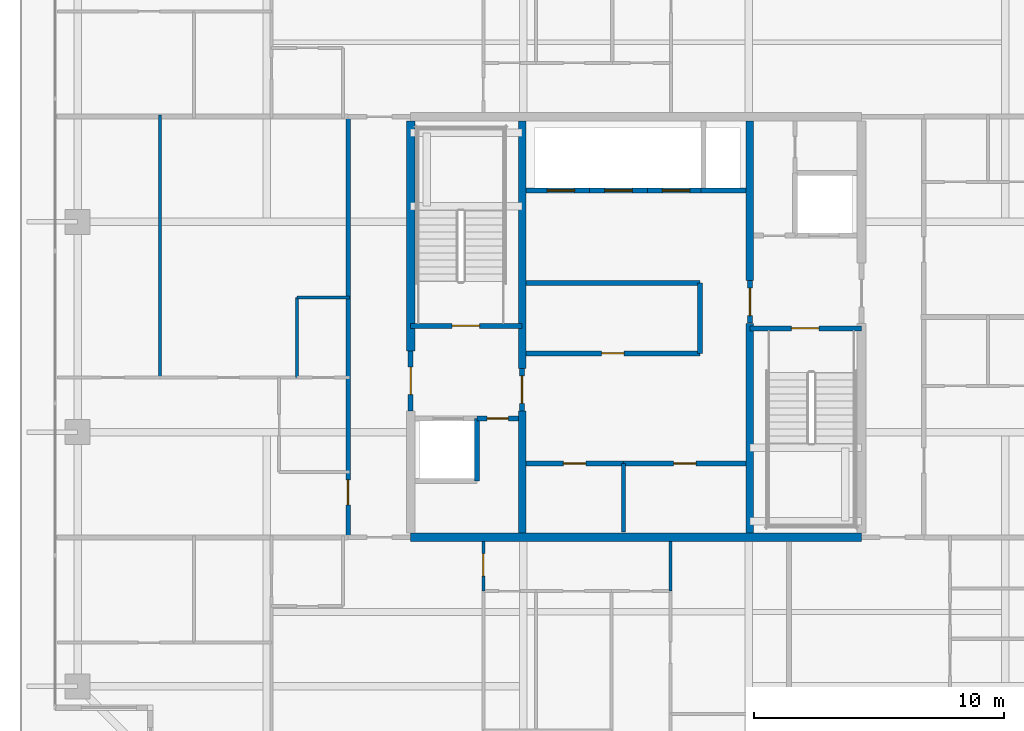
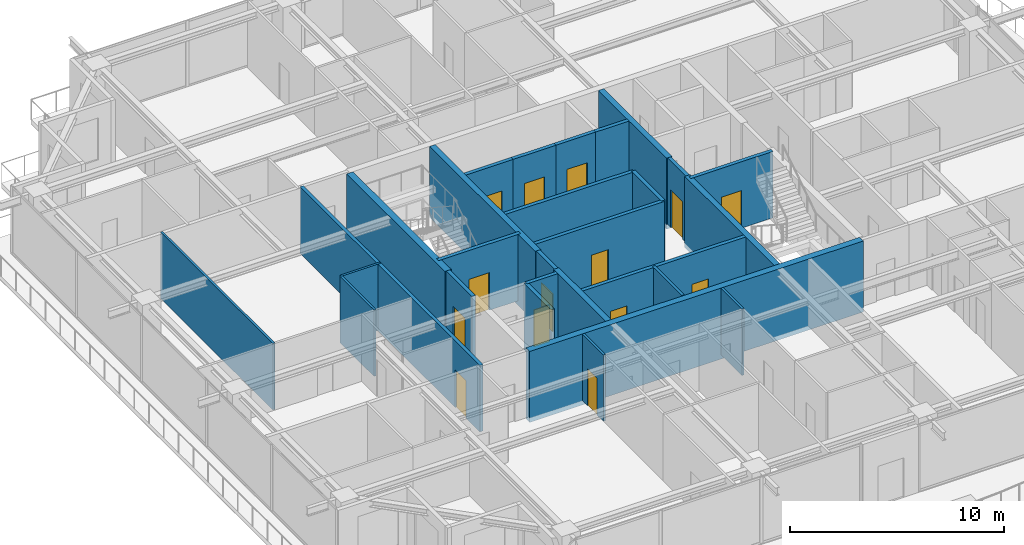
# One storey, part 32 of 42: 29 walls, 14 doors, 14 openings.
"""IFC4 building model written with IfcOpenShell, lengths in metres."""

from ifc_helpers import new_model, si_unit, direction, frame, frame_2d, origin, place, context, subcontext, project, spatial, rectangle, extrude, source, transform, mapped, material, layer, layer_set, type_object, element, fill, save


model = new_model("IFC4")

# Units and contexts
model_context = context("Model", 3, precision=1e-05, world=origin(), true_north=direction((0.0, 1.0)))
body_context = subcontext(model_context, "Body", "Model", "MODEL_VIEW")
ifc_project = project(units=[si_unit("LENGTHUNIT", "METRE"), si_unit("AREAUNIT", "SQUARE_METRE"), si_unit("VOLUMEUNIT", "CUBIC_METRE"), si_unit("PLANEANGLEUNIT", "RADIAN"), si_unit("MASSUNIT", "GRAM", prefix="KILO")], contexts=[model_context])

# Site, building, storey
site_placement = place(None, origin())
site = spatial("IfcSite", under=ifc_project, at=site_placement, CompositionType="ELEMENT")
building_placement = place(site_placement, origin())
building = spatial("IfcBuilding", under=site, at=building_placement, Name="Serunith Strait Residences", CompositionType="ELEMENT")
storey_placement = place(building_placement, frame((0.0, 0.0, 309.64990234375)))
storey = spatial("IfcBuildingStorey", under=building, at=storey_placement, Name="L77", CompositionType="ELEMENT", Elevation=309.64990234375)

# Wall
ifc_material_1 = material(Name="Fire-rated masonry service closet wall", Category="masonry")
ifc_layer_1 = layer(ifc_material_1, 0.14990234375, Name="Fire-rated masonry service closet wall")
ifc_layer_set_1 = layer_set([ifc_layer_1], Name="Fire-rated masonry service closet wall")
wall_type_1 = type_object("IfcWallType", Name="IW-BOH-150", PredefinedType="PARTITIONING", material=ifc_layer_set_1)
wall_1_placement = place(storey_placement, frame((31.89990234375, 17.02001953125, 0.0), z_axis=(0.0, 0.0, 1.0), x_axis=(0.0, 1.0, 0.0)))
element("IfcWall", 1, at=wall_1_placement, inside=storey, type_object=wall_type_1, Name="L77 Partition Wall 014", PredefinedType="PARTITIONING", context=body_context, shape_type="SweptSolid", body=[
    extrude(rectangle(XDim=2.72998046875, YDim=0.14990234375, at=frame_2d((1.364990234375, 0.0))), origin(), (0.0, 0.0, 1.0), 3.7900390625),
])

# Wall, opening, door
ifc_material_2 = material(Name="Fire-rated acoustic gypsum partition")
ifc_layer_2 = layer(ifc_material_2, 0.179931640625, Name="Fire-rated acoustic gypsum partition")
ifc_layer_set_2 = layer_set([ifc_layer_2], Name="Fire-rated acoustic gypsum partition")
wall_type_2 = type_object("IfcWallType", Name="IW-CORR-180", PredefinedType="PARTITIONING", material=ifc_layer_set_2)
wall_2_placement = place(storey_placement, frame((20.89990234375, 16.800048828125, 0.0), z_axis=(0.0, 0.0, 1.0), x_axis=(0.0, 1.0, 0.0)))
wall_2 = element("IfcWall", 2, at=wall_2_placement, inside=storey, type_object=wall_type_2, Name="L77 Partition Wall 026", PredefinedType="PARTITIONING", context=body_context, shape_type="SweptSolid", body=[
    extrude(rectangle(XDim=16.800048828125, YDim=0.179931640625, at=frame_2d((8.39990234375, 0.0))), origin(), (0.0, 0.0, 1.0), 3.7900390625),
])
opening_1_placement = place(wall_2_placement, frame((1.300048828125, 0.0, 0.0)))
opening_1 = element("IfcOpeningElement", 3, at=opening_1_placement, cuts=wall_2, Name="Opening D-APT1000", PredefinedType="OPENING", context=body_context, shape_type="SweptSolid", body=[
    extrude(rectangle(XDim=1.0, YDim=2.14990234375, at=frame_2d((0.5, 1.074951171875))), frame((0.0, 0.10009765625, 0.0), z_axis=(0.0, -1.0, 0.0), x_axis=(1.0, 0.0, 0.0)), (0.0, 0.0, 1.0), 0.199951171875),
])
ifc_material_3 = material(Name="Solid timber engineered fire door", Category="wood")
door_type_1 = type_object("IfcDoorType", Name="ID-APT-1000", OperationType="NOTDEFINED", PredefinedType="DOOR", material=ifc_material_3)
shared_shape_1 = source(origin(), body_context, "Body", "SweptSolid", [
    extrude(rectangle(XDim=1.0, YDim=2.14990234375, at=frame_2d((0.5, 1.074951171875))), frame((0.0, 0.02490234375, 0.0), z_axis=(0.0, -1.0, 0.0), x_axis=(1.0, 0.0, 0.0)), (0.0, 0.0, 1.0), 0.050048828125),
])
door_1_placement = place(opening_1_placement, origin())
door_1 = element("IfcDoor", 4, at=door_1_placement, inside=storey, type_object=door_type_1, Name="L77 Unit 04 Entrance Door", OperationType="SINGLE_SWING_RIGHT", OverallHeight=2.14990234375, OverallWidth=1.0, PredefinedType="DOOR", context=body_context, shape_type="MappedRepresentation", body=[
    mapped(shared_shape_1, transform((0.0, 0.0, 0.0), scale=1.0)),
])
fill(opening_1, door_1)

ifc_material_4 = material(Name="Lightweight steel-stud gypsum partition", Category="steel")
ifc_layer_3 = layer(ifc_material_4, 0.1201171875, Name="Lightweight steel-stud gypsum partition")
ifc_layer_set_3 = layer_set([ifc_layer_3], Name="Lightweight steel-stud gypsum partition")
wall_type_3 = type_object("IfcWallType", Name="IW-PART-120", PredefinedType="PARTITIONING", material=ifc_layer_set_3)
wall_3_placement = place(storey_placement, frame((26.300048828125, 14.64990234375, 0.0), z_axis=(0.0, 0.0, 1.0), x_axis=(0.0, 1.0, 0.0)))
wall_3 = element("IfcWall", 5, at=wall_3_placement, inside=storey, type_object=wall_type_3, Name="L77 Partition Wall 037", PredefinedType="PARTITIONING", context=body_context, shape_type="SweptSolid", body=[
    extrude(rectangle(XDim=1.97509765625, YDim=0.1201171875, at=frame_2d((0.987548828125, 0.0))), origin(), (0.0, 0.0, 1.0), 3.7900390625),
])
opening_2_placement = place(wall_3_placement, frame((0.60107421875, 0.0, 0.0)))
opening_2 = element("IfcOpeningElement", 6, at=opening_2_placement, cuts=wall_3, Name="Opening D-RM900", PredefinedType="OPENING", context=body_context, shape_type="SweptSolid", body=[
    extrude(rectangle(XDim=0.89990234375, YDim=2.10009765625, at=frame_2d((0.449951171875, 1.050048828125))), frame((0.0, 0.070068359375, 0.0), z_axis=(0.0, -1.0, 0.0), x_axis=(1.0, 0.0, 0.0)), (0.0, 0.0, 1.0), 0.14013671875),
])
ifc_material_5 = material(Name="Engineered timber flush bedroom door", Category="wood")
door_type_2 = type_object("IfcDoorType", Name="ID-ROOM-900", OperationType="NOTDEFINED", PredefinedType="DOOR", material=ifc_material_5)
shared_shape_2 = source(origin(), body_context, "Body", "SweptSolid", [
    extrude(rectangle(XDim=0.89990234375, YDim=2.10009765625, at=frame_2d((0.449951171875, 1.050048828125))), frame((0.0, 0.02490234375, 0.0), z_axis=(0.0, -1.0, 0.0), x_axis=(1.0, 0.0, 0.0)), (0.0, 0.0, 1.0), 0.050048828125),
])
door_2_placement = place(opening_2_placement, origin())
door_2 = element("IfcDoor", 7, at=door_2_placement, inside=storey, type_object=door_type_2, Name="L77 Hall E 7701 Door", OperationType="SINGLE_SWING_RIGHT", OverallHeight=2.10009765625, OverallWidth=0.89990234375, PredefinedType="DOOR", context=body_context, shape_type="MappedRepresentation", body=[
    mapped(shared_shape_2, transform((0.0, 0.0, 0.0), scale=1.0)),
])
fill(opening_2, door_2)

# Walls
wall_4_placement = place(storey_placement, frame((33.77001953125, 14.652099609375, 0.0), z_axis=(0.0, 0.0, 1.0), x_axis=(0.0, 1.0, 0.0)))
element("IfcWall", 8, at=wall_4_placement, inside=storey, type_object=wall_type_3, Name="L77 Partition Wall 050", PredefinedType="PARTITIONING", context=body_context, shape_type="SweptSolid", body=[
    extrude(rectangle(XDim=1.972900390625, YDim=0.1201171875, at=frame_2d((0.986328125, 0.0))), origin(), (0.0, 0.0, 1.0), 3.7900390625),
])
wall_5_placement = place(storey_placement, frame((13.388916015625, 23.179931640625, 0.0), z_axis=(0.0, 0.0, 1.0), x_axis=(0.0, 1.0, 0.0)))
element("IfcWall", 9, at=wall_5_placement, inside=storey, type_object=wall_type_3, Name="L77 Partition Wall 084", PredefinedType="PARTITIONING", context=body_context, shape_type="SweptSolid", body=[
    extrude(rectangle(XDim=10.47998046875, YDim=0.1201171875, at=frame_2d((5.239990234375, 0.0))), origin(), (0.0, 0.0, 1.0), 3.7900390625),
])
wall_6_placement = place(storey_placement, frame((18.85009765625, 23.179931640625, 0.0), z_axis=(0.0, 0.0, 1.0), x_axis=(0.0, 1.0, 0.0)))
element("IfcWall", 10, at=wall_6_placement, inside=storey, type_object=wall_type_3, Name="L77 Partition Wall 085", PredefinedType="PARTITIONING", context=body_context, shape_type="SweptSolid", body=[
    extrude(rectangle(XDim=3.199951171875, YDim=0.1201171875, at=frame_2d((1.60009765625, 0.0))), origin(), (0.0, 0.0, 1.0), 3.7900390625),
])
wall_7_placement = place(storey_placement, frame((18.85009765625, 26.3798828125, 0.0), z_axis=(0.0, 0.0, 1.0), x_axis=(1.0, 0.0, 0.0)))
element("IfcWall", 11, at=wall_7_placement, inside=storey, type_object=wall_type_3, Name="L77 Partition Wall 086", PredefinedType="PARTITIONING", context=body_context, shape_type="SweptSolid", body=[
    extrude(rectangle(XDim=2.10986328125, YDim=0.1201171875, at=frame_2d((1.054931640625, 0.0))), origin(), (0.0, 0.0, 1.0), 3.7900390625),
])

# Wall, opening, door
ifc_material_6 = material(Name="Autoclaved aerated concrete blockwork", Category="masonry")
ifc_layer_4 = layer(ifc_material_6, 0.199951171875, Name="Autoclaved aerated concrete blockwork")
ifc_layer_set_4 = layer_set([ifc_layer_4], Name="Autoclaved aerated concrete blockwork")
wall_type_4 = type_object("IfcWallType", Name="IW-SHAFT-200", PredefinedType="STANDARD", material=ifc_layer_set_4)
wall_8_placement = place(storey_placement, frame((23.39990234375, 25.25, 0.0), z_axis=(0.0, 0.0, 1.0), x_axis=(1.0, 0.0, 0.0)))
wall_8 = element("IfcWall", 12, at=wall_8_placement, inside=storey, type_object=wall_type_4, Name="L77 ST-1 South Shaft Wall", PredefinedType="STANDARD", context=body_context, shape_type="SweptSolid", body=[
    extrude(rectangle(XDim=4.4501953125, YDim=0.199951171875, at=frame_2d((2.22509765625, 0.0))), origin(), (0.0, 0.0, 1.0), 3.7900390625),
])
opening_3_placement = place(wall_8_placement, frame((1.64990234375, 0.0, 0.0)))
opening_3 = element("IfcOpeningElement", 13, at=opening_3_placement, cuts=wall_8, Name="Opening FD-1100", PredefinedType="OPENING", context=body_context, shape_type="SweptSolid", body=[
    extrude(rectangle(XDim=1.10009765625, YDim=2.14990234375, at=frame_2d((0.550048828125, 1.074951171875))), frame((0.0, 0.10986328125, 0.0), z_axis=(0.0, -1.0, 0.0), x_axis=(1.0, 0.0, 0.0)), (0.0, 0.0, 1.0), 0.219970703125),
])
ifc_material_7 = material(Name="Galvanised steel fire door leaf", Category="steel")
door_type_3 = type_object("IfcDoorType", Name="FD-STAIR-1100", OperationType="NOTDEFINED", PredefinedType="DOOR", material=ifc_material_7)
shared_shape_3 = source(origin(), body_context, "Body", "SweptSolid", [
    extrude(rectangle(XDim=1.10009765625, YDim=2.14990234375, at=frame_2d((0.550048828125, 1.074951171875))), frame((0.0, 0.02490234375, 0.0), z_axis=(0.0, -1.0, 0.0), x_axis=(1.0, 0.0, 0.0)), (0.0, 0.0, 1.0), 0.050048828125),
])
door_3_placement = place(opening_3_placement, origin())
door_3 = element("IfcDoor", 14, at=door_3_placement, inside=storey, type_object=door_type_3, Name="L77 ST-1 Escape Stair Door", OperationType="SINGLE_SWING_LEFT", OverallHeight=2.14990234375, OverallWidth=1.10009765625, PredefinedType="DOOR", context=body_context, shape_type="MappedRepresentation", body=[
    mapped(shared_shape_3, transform((0.0, 0.0, 0.0), scale=1.0)),
])
fill(opening_3, door_3)

wall_9_placement = place(storey_placement, frame((36.949951171875, 25.14990234375, 0.0), z_axis=(0.0, 0.0, 1.0), x_axis=(1.0, 0.0, 0.0)))
wall_9 = element("IfcWall", 15, at=wall_9_placement, inside=storey, type_object=wall_type_4, Name="L77 ST-2 North Shaft Wall", PredefinedType="STANDARD", context=body_context, shape_type="SweptSolid", body=[
    extrude(rectangle(XDim=4.449951171875, YDim=0.199951171875, at=frame_2d((2.22509765625, 0.0))), origin(), (0.0, 0.0, 1.0), 3.7900390625),
])
opening_4_placement = place(wall_9_placement, frame((1.64990234375, 0.0, 0.0)))
opening_4 = element("IfcOpeningElement", 16, at=opening_4_placement, cuts=wall_9, Name="Opening FD-1100", PredefinedType="OPENING", context=body_context, shape_type="SweptSolid", body=[
    extrude(rectangle(XDim=1.10009765625, YDim=2.14990234375, at=frame_2d((0.550048828125, 1.074951171875))), frame((0.0, 0.10986328125, 0.0), z_axis=(0.0, -1.0, 0.0), x_axis=(1.0, 0.0, 0.0)), (0.0, 0.0, 1.0), 0.219970703125),
])
door_4_placement = place(opening_4_placement, origin())
door_4 = element("IfcDoor", 17, at=door_4_placement, inside=storey, type_object=door_type_3, Name="L77 ST-2 Escape Stair Door", OperationType="SINGLE_SWING_RIGHT", OverallHeight=2.14990234375, OverallWidth=1.10009765625, PredefinedType="DOOR", context=body_context, shape_type="MappedRepresentation", body=[
    mapped(shared_shape_3, transform((0.0, 0.0, 0.0), scale=1.0)),
])
fill(opening_4, door_4)

wall_10_placement = place(storey_placement, frame((28.0, 30.64990234375, 0.0), z_axis=(0.0, 0.0, 1.0), x_axis=(1.0, 0.0, 0.0)))
wall_10 = element("IfcWall", 18, at=wall_10_placement, inside=storey, type_object=wall_type_4, Name="L77 PL-7 South Shaft Wall", PredefinedType="STANDARD", context=body_context, shape_type="SweptSolid", body=[
    extrude(rectangle(XDim=2.550048828125, YDim=0.199951171875, at=frame_2d((1.27490234375, 0.0))), origin(), (0.0, 0.0, 1.0), 3.7900390625),
])
opening_5_placement = place(wall_10_placement, frame((0.85009765625, 0.0, 0.0)))
opening_5 = element("IfcOpeningElement", 19, at=opening_5_placement, cuts=wall_10, Name="Opening LD-1100", PredefinedType="OPENING", context=body_context, shape_type="SweptSolid", body=[
    extrude(rectangle(XDim=1.10009765625, YDim=2.199951171875, at=frame_2d((0.550048828125, 1.10009765625))), frame((0.0, 0.10986328125, 0.0), z_axis=(0.0, -1.0, 0.0), x_axis=(1.0, 0.0, 0.0)), (0.0, 0.0, 1.0), 0.219970703125),
])
ifc_material_8 = material(Name="Pale-champagne stainless landing door")
door_type_4 = type_object("IfcDoorType", Name="LD-LIFT-1100", OperationType="DOUBLE_DOOR_SLIDING", PredefinedType="DOOR", material=ifc_material_8)
shared_shape_4 = source(origin(), body_context, "Body", "SweptSolid", [
    extrude(rectangle(XDim=1.10009765625, YDim=2.199951171875, at=frame_2d((0.550048828125, 1.10009765625))), frame((0.0, 0.02490234375, 0.0), z_axis=(0.0, -1.0, 0.0), x_axis=(1.0, 0.0, 0.0)), (0.0, 0.0, 1.0), 0.050048828125),
])
door_5_placement = place(opening_5_placement, origin())
door_5 = element("IfcDoor", 20, at=door_5_placement, inside=storey, type_object=door_type_4, Name="L77 PL-7 Landing Door", OperationType="DOUBLE_DOOR_SLIDING", OverallHeight=2.199951171875, OverallWidth=1.10009765625, PredefinedType="DOOR", context=body_context, shape_type="MappedRepresentation", body=[
    mapped(shared_shape_4, transform((0.0, 0.0, 0.0), scale=1.0)),
])
fill(opening_5, door_5)

wall_11_placement = place(storey_placement, frame((30.550048828125, 30.64990234375, 0.0), z_axis=(0.0, 0.0, 1.0), x_axis=(1.0, 0.0, 0.0)))
wall_11 = element("IfcWall", 21, at=wall_11_placement, inside=storey, type_object=wall_type_4, Name="L77 PL-8 South Shaft Wall", PredefinedType="STANDARD", context=body_context, shape_type="SweptSolid", body=[
    extrude(rectangle(XDim=2.300048828125, YDim=0.199951171875, at=frame_2d((1.14990234375, 0.0))), origin(), (0.0, 0.0, 1.0), 3.7900390625),
])
opening_6_placement = place(wall_11_placement, frame((0.60009765625, 0.0, 0.0)))
opening_6 = element("IfcOpeningElement", 22, at=opening_6_placement, cuts=wall_11, Name="Opening LD-1100", PredefinedType="OPENING", context=body_context, shape_type="SweptSolid", body=[
    extrude(rectangle(XDim=1.10009765625, YDim=2.199951171875, at=frame_2d((0.550048828125, 1.10009765625))), frame((0.0, 0.10986328125, 0.0), z_axis=(0.0, -1.0, 0.0), x_axis=(1.0, 0.0, 0.0)), (0.0, 0.0, 1.0), 0.219970703125),
])
door_6_placement = place(opening_6_placement, origin())
door_6 = element("IfcDoor", 23, at=door_6_placement, inside=storey, type_object=door_type_4, Name="L77 PL-8 Landing Door", OperationType="DOUBLE_DOOR_SLIDING", OverallHeight=2.199951171875, OverallWidth=1.10009765625, PredefinedType="DOOR", context=body_context, shape_type="MappedRepresentation", body=[
    mapped(shared_shape_4, transform((0.0, 0.0, 0.0), scale=1.0)),
])
fill(opening_6, door_6)

wall_12_placement = place(storey_placement, frame((32.85009765625, 30.64990234375, 0.0), z_axis=(0.0, 0.0, 1.0), x_axis=(1.0, 0.0, 0.0)))
wall_12 = element("IfcWall", 24, at=wall_12_placement, inside=storey, type_object=wall_type_4, Name="L77 PL-9 South Shaft Wall", PredefinedType="STANDARD", context=body_context, shape_type="SweptSolid", body=[
    extrude(rectangle(XDim=2.14990234375, YDim=0.199951171875, at=frame_2d((1.074951171875, 0.0))), origin(), (0.0, 0.0, 1.0), 3.7900390625),
])
opening_7_placement = place(wall_12_placement, frame((0.60009765625, 0.0, 0.0)))
opening_7 = element("IfcOpeningElement", 25, at=opening_7_placement, cuts=wall_12, Name="Opening LD-1100", PredefinedType="OPENING", context=body_context, shape_type="SweptSolid", body=[
    extrude(rectangle(XDim=1.10009765625, YDim=2.199951171875, at=frame_2d((0.550048828125, 1.10009765625))), frame((0.0, 0.10986328125, 0.0), z_axis=(0.0, -1.0, 0.0), x_axis=(1.0, 0.0, 0.0)), (0.0, 0.0, 1.0), 0.219970703125),
])
door_7_placement = place(opening_7_placement, origin())
door_7 = element("IfcDoor", 26, at=door_7_placement, inside=storey, type_object=door_type_4, Name="L77 PL-9 Landing Door", OperationType="DOUBLE_DOOR_SLIDING", OverallHeight=2.199951171875, OverallWidth=1.10009765625, PredefinedType="DOOR", context=body_context, shape_type="MappedRepresentation", body=[
    mapped(shared_shape_4, transform((0.0, 0.0, 0.0), scale=1.0)),
])
fill(opening_7, door_7)

# Walls
wall_13_placement = place(storey_placement, frame((35.0, 30.64990234375, 0.0), z_axis=(0.0, 0.0, 1.0), x_axis=(1.0, 0.0, 0.0)))
element("IfcWall", 27, at=wall_13_placement, inside=storey, type_object=wall_type_4, Name="L77 SL-1 South Shaft Wall", PredefinedType="STANDARD", context=body_context, shape_type="SweptSolid", body=[
    extrude(rectangle(XDim=1.800048828125, YDim=0.199951171875, at=frame_2d((0.89990234375, 0.0))), origin(), (0.0, 0.0, 1.0), 3.7900390625),
])
wall_14_placement = place(storey_placement, frame((26.050048828125, 19.050048828125, 0.0), z_axis=(0.0, 0.0, 1.0), x_axis=(0.0, 1.0, 0.0)))
element("IfcWall", 28, at=wall_14_placement, inside=storey, type_object=wall_type_4, Name="L77 Partition Wall 001", PredefinedType="STANDARD", context=body_context, shape_type="SweptSolid", body=[
    extrude(rectangle(XDim=2.5, YDim=0.199951171875, at=frame_2d((1.25, 0.0))), origin(), (0.0, 0.0, 1.0), 3.7900390625),
])

# Wall, opening, door
wall_15_placement = place(storey_placement, frame((26.052001953125, 21.550048828125, 0.0), z_axis=(0.0, 0.0, 1.0), x_axis=(1.0, 0.0, 0.0)))
wall_15 = element("IfcWall", 29, at=wall_15_placement, inside=storey, type_object=wall_type_4, Name="L77 Partition Wall 003", PredefinedType="STANDARD", context=body_context, shape_type="SweptSolid", body=[
    extrude(rectangle(XDim=1.64794921875, YDim=0.199951171875, at=frame_2d((0.823974609375, 0.0))), origin(), (0.0, 0.0, 1.0), 3.7900390625),
])
opening_8_placement = place(wall_15_placement, frame((0.39892578125, 0.0, 0.0)))
opening_8 = element("IfcOpeningElement", 30, at=opening_8_placement, cuts=wall_15, Name="Opening FD-850", PredefinedType="OPENING", context=body_context, shape_type="SweptSolid", body=[
    extrude(rectangle(XDim=0.85009765625, YDim=2.10009765625, at=frame_2d((0.425048828125, 1.050048828125))), frame((0.0, 0.10986328125, 0.0), z_axis=(0.0, -1.0, 0.0), x_axis=(1.0, 0.0, 0.0)), (0.0, 0.0, 1.0), 0.219970703125),
])
ifc_material_9 = material(Name="Powder-coated steel service closet door", Category="steel")
door_type_5 = type_object("IfcDoorType", Name="FD-BOH-850", OperationType="NOTDEFINED", PredefinedType="DOOR", material=ifc_material_9)
shared_shape_5 = source(origin(), body_context, "Body", "SweptSolid", [
    extrude(rectangle(XDim=0.85009765625, YDim=2.10009765625, at=frame_2d((0.425048828125, 1.050048828125))), frame((0.0, 0.02490234375, 0.0), z_axis=(0.0, -1.0, 0.0), x_axis=(1.0, 0.0, 0.0)), (0.0, 0.0, 1.0), 0.050048828125),
])
door_8_placement = place(opening_8_placement, origin())
door_8 = element("IfcDoor", 31, at=door_8_placement, inside=storey, type_object=door_type_5, Name="L77 South-West Core Service Door", OperationType="SINGLE_SWING_RIGHT", OverallHeight=2.10009765625, OverallWidth=0.85009765625, PredefinedType="DOOR", context=body_context, shape_type="MappedRepresentation", body=[
    mapped(shared_shape_5, transform((0.0, 0.0, 0.0), scale=1.0)),
])
fill(opening_8, door_8)

wall_16_placement = place(storey_placement, frame((23.39990234375, 21.85205078125, 0.0), z_axis=(0.0, 0.0, 1.0), x_axis=(0.0, 1.0, 0.0)))
wall_16 = element("IfcWall", 32, at=wall_16_placement, inside=storey, type_object=wall_type_4, Name="L77 Partition Wall 007", PredefinedType="STANDARD", context=body_context, shape_type="SweptSolid", body=[
    extrude(rectangle(XDim=2.39599609375, YDim=0.199951171875, at=frame_2d((1.197998046875, 0.0))), origin(), (0.0, 0.0, 1.0), 3.7900390625),
])
opening_9_placement = place(wall_16_placement, frame((0.64794921875, 0.0, 0.0)))
opening_9 = element("IfcOpeningElement", 33, at=opening_9_placement, cuts=wall_16, Name="Opening FD-FFL", PredefinedType="OPENING", context=body_context, shape_type="SweptSolid", body=[
    extrude(rectangle(XDim=1.10009765625, YDim=2.14990234375, at=frame_2d((0.550048828125, 1.074951171875))), frame((0.0, 0.10986328125, 0.0), z_axis=(0.0, -1.0, 0.0), x_axis=(1.0, 0.0, 0.0)), (0.0, 0.0, 1.0), 0.219970703125),
])
ifc_material_10 = material(Name="Glazed steel smoke-lobby fire door", Category="steel")
door_type_6 = type_object("IfcDoorType", Name="FD-FFL-1100", OperationType="NOTDEFINED", PredefinedType="DOOR", material=ifc_material_10)
door_9_placement = place(opening_9_placement, origin())
door_9 = element("IfcDoor", 34, at=door_9_placement, inside=storey, type_object=door_type_6, Name="L77 FFL-1 Corridor Fire Door", OperationType="SINGLE_SWING_RIGHT", OverallHeight=2.14990234375, OverallWidth=1.10009765625, PredefinedType="DOOR", context=body_context, shape_type="MappedRepresentation", body=[
    mapped(shared_shape_3, transform((0.0, 0.0, 0.0), scale=1.0)),
])
fill(opening_9, door_9)

wall_17_placement = place(storey_placement, frame((27.85009765625, 21.85205078125, 0.0), z_axis=(0.0, 0.0, 1.0), x_axis=(0.0, 1.0, 0.0)))
wall_17 = element("IfcWall", 35, at=wall_17_placement, inside=storey, type_object=wall_type_4, Name="L77 Partition Wall 009", PredefinedType="STANDARD", context=body_context, shape_type="SweptSolid", body=[
    extrude(rectangle(XDim=1.696044921875, YDim=0.199951171875, at=frame_2d((0.84814453125, 0.0))), origin(), (0.0, 0.0, 1.0), 3.7900390625),
])
opening_10_placement = place(wall_17_placement, frame((0.298095703125, 0.0, 0.0)))
opening_10 = element("IfcOpeningElement", 36, at=opening_10_placement, cuts=wall_17, Name="Opening FD-FFL", PredefinedType="OPENING", context=body_context, shape_type="SweptSolid", body=[
    extrude(rectangle(XDim=1.10009765625, YDim=2.14990234375, at=frame_2d((0.550048828125, 1.074951171875))), frame((0.0, 0.10986328125, 0.0), z_axis=(0.0, -1.0, 0.0), x_axis=(1.0, 0.0, 0.0)), (0.0, 0.0, 1.0), 0.219970703125),
])
door_10_placement = place(opening_10_placement, origin())
door_10 = element("IfcDoor", 37, at=door_10_placement, inside=storey, type_object=door_type_6, Name="L77 FFL-1 Lift Lobby Door", OperationType="SINGLE_SWING_RIGHT", OverallHeight=2.14990234375, OverallWidth=1.10009765625, PredefinedType="DOOR", context=body_context, shape_type="MappedRepresentation", body=[
    mapped(shared_shape_3, transform((0.0, 0.0, 0.0), scale=1.0)),
])
fill(opening_10, door_10)

wall_18_placement = place(storey_placement, frame((36.949951171875, 25.35205078125, 0.0), z_axis=(0.0, 0.0, 1.0), x_axis=(0.0, 1.0, 0.0)))
wall_18 = element("IfcWall", 38, at=wall_18_placement, inside=storey, type_object=wall_type_4, Name="L77 Partition Wall 010", PredefinedType="STANDARD", context=body_context, shape_type="SweptSolid", body=[
    extrude(rectangle(XDim=1.696044921875, YDim=0.199951171875, at=frame_2d((0.84814453125, 0.0))), origin(), (0.0, 0.0, 1.0), 3.7900390625),
])
opening_11_placement = place(wall_18_placement, frame((0.298095703125, 0.0, 0.0)))
opening_11 = element("IfcOpeningElement", 39, at=opening_11_placement, cuts=wall_18, Name="Opening FD-FFL", PredefinedType="OPENING", context=body_context, shape_type="SweptSolid", body=[
    extrude(rectangle(XDim=1.10009765625, YDim=2.14990234375, at=frame_2d((0.550048828125, 1.074951171875))), frame((0.0, 0.10986328125, 0.0), z_axis=(0.0, -1.0, 0.0), x_axis=(1.0, 0.0, 0.0)), (0.0, 0.0, 1.0), 0.219970703125),
])
door_11_placement = place(opening_11_placement, origin())
door_11 = element("IfcDoor", 40, at=door_11_placement, inside=storey, type_object=door_type_6, Name="L77 FFL-2 Lift Lobby Door", OperationType="SINGLE_SWING_LEFT", OverallHeight=2.14990234375, OverallWidth=1.10009765625, PredefinedType="DOOR", context=body_context, shape_type="MappedRepresentation", body=[
    mapped(shared_shape_3, transform((0.0, 0.0, 0.0), scale=1.0)),
])
fill(opening_11, door_11)

wall_19_placement = place(storey_placement, frame((28.0, 19.75, 0.0), z_axis=(0.0, 0.0, 1.0), x_axis=(1.0, 0.0, 0.0)))
wall_19 = element("IfcWall", 41, at=wall_19_placement, inside=storey, type_object=wall_type_4, Name="L77 Partition Wall 012", PredefinedType="STANDARD", context=body_context, shape_type="SweptSolid", body=[
    extrude(rectangle(XDim=3.89990234375, YDim=0.199951171875, at=frame_2d((1.949951171875, 0.0))), origin(), (0.0, 0.0, 1.0), 3.7900390625),
])
opening_12_placement = place(wall_19_placement, frame((1.5, 0.0, 0.0)))
opening_12 = element("IfcOpeningElement", 42, at=opening_12_placement, cuts=wall_19, Name="Opening FD-900", PredefinedType="OPENING", context=body_context, shape_type="SweptSolid", body=[
    extrude(rectangle(XDim=0.89990234375, YDim=2.10009765625, at=frame_2d((0.449951171875, 1.050048828125))), frame((0.0, 0.10986328125, 0.0), z_axis=(0.0, -1.0, 0.0), x_axis=(1.0, 0.0, 0.0)), (0.0, 0.0, 1.0), 0.219970703125),
])
ifc_material_11 = material(Name="Powder-coated steel riser door", Category="steel")
door_type_7 = type_object("IfcDoorType", Name="FD-BOH-900", OperationType="NOTDEFINED", PredefinedType="DOOR", material=ifc_material_11)
door_12_placement = place(opening_12_placement, origin())
door_12 = element("IfcDoor", 43, at=door_12_placement, inside=storey, type_object=door_type_7, Name="L77 Housekeeping Store Door", OperationType="SINGLE_SWING_LEFT", OverallHeight=2.10009765625, OverallWidth=0.89990234375, PredefinedType="DOOR", context=body_context, shape_type="MappedRepresentation", body=[
    mapped(shared_shape_2, transform((0.0, 0.0, 0.0), scale=1.0)),
])
fill(opening_12, door_12)

wall_20_placement = place(storey_placement, frame((31.902099609375, 19.75, 0.0), z_axis=(0.0, 0.0, 1.0), x_axis=(1.0, 0.0, 0.0)))
wall_20 = element("IfcWall", 44, at=wall_20_placement, inside=storey, type_object=wall_type_4, Name="L77 Partition Wall 013", PredefinedType="STANDARD", context=body_context, shape_type="SweptSolid", body=[
    extrude(rectangle(XDim=4.89794921875, YDim=0.199951171875, at=frame_2d((2.448974609375, 0.0))), origin(), (0.0, 0.0, 1.0), 3.7900390625),
])
opening_13_placement = place(wall_20_placement, frame((1.9990234375, 0.0, 0.0)))
opening_13 = element("IfcOpeningElement", 45, at=opening_13_placement, cuts=wall_20, Name="Opening FD-900", PredefinedType="OPENING", context=body_context, shape_type="SweptSolid", body=[
    extrude(rectangle(XDim=0.89990234375, YDim=2.10009765625, at=frame_2d((0.449951171875, 1.050048828125))), frame((0.0, 0.10986328125, 0.0), z_axis=(0.0, -1.0, 0.0), x_axis=(1.0, 0.0, 0.0)), (0.0, 0.0, 1.0), 0.219970703125),
])
door_13_placement = place(opening_13_placement, origin())
door_13 = element("IfcDoor", 46, at=door_13_placement, inside=storey, type_object=door_type_7, Name="L77 High-Rise Meter Door", OperationType="SINGLE_SWING_RIGHT", OverallHeight=2.10009765625, OverallWidth=0.89990234375, PredefinedType="DOOR", context=body_context, shape_type="MappedRepresentation", body=[
    mapped(shared_shape_2, transform((0.0, 0.0, 0.0), scale=1.0)),
])
fill(opening_13, door_13)

# Walls
wall_21_placement = place(storey_placement, frame((28.0, 26.949951171875, 0.0), z_axis=(0.0, 0.0, 1.0), x_axis=(1.0, 0.0, 0.0)))
element("IfcWall", 47, at=wall_21_placement, inside=storey, type_object=wall_type_4, Name="L77 Partition Wall 015", PredefinedType="STANDARD", context=body_context, shape_type="SweptSolid", body=[
    extrude(rectangle(XDim=6.949951171875, YDim=0.199951171875, at=frame_2d((3.47509765625, 0.0))), origin(), (0.0, 0.0, 1.0), 3.7900390625),
])
wall_22_placement = place(storey_placement, frame((34.949951171875, 24.14990234375, 0.0), z_axis=(0.0, 0.0, 1.0), x_axis=(0.0, 1.0, 0.0)))
element("IfcWall", 48, at=wall_22_placement, inside=storey, type_object=wall_type_4, Name="L77 Partition Wall 016", PredefinedType="STANDARD", context=body_context, shape_type="SweptSolid", body=[
    extrude(rectangle(XDim=2.800048828125, YDim=0.199951171875, at=frame_2d((1.39990234375, 0.0))), origin(), (0.0, 0.0, 1.0), 3.7900390625),
])

# Wall, opening, door
wall_23_placement = place(storey_placement, frame((28.0, 24.14990234375, 0.0), z_axis=(0.0, 0.0, 1.0), x_axis=(1.0, 0.0, 0.0)))
wall_23 = element("IfcWall", 49, at=wall_23_placement, inside=storey, type_object=wall_type_4, Name="L77 Partition Wall 017", PredefinedType="STANDARD", context=body_context, shape_type="SweptSolid", body=[
    extrude(rectangle(XDim=6.949951171875, YDim=0.199951171875, at=frame_2d((3.47509765625, 0.0))), origin(), (0.0, 0.0, 1.0), 3.7900390625),
])
opening_14_placement = place(wall_23_placement, frame((3.02490234375, 0.0, 0.0)))
opening_14 = element("IfcOpeningElement", 50, at=opening_14_placement, cuts=wall_23, Name="Opening FD-900", PredefinedType="OPENING", context=body_context, shape_type="SweptSolid", body=[
    extrude(rectangle(XDim=0.89990234375, YDim=2.10009765625, at=frame_2d((0.449951171875, 1.050048828125))), frame((0.0, 0.10986328125, 0.0), z_axis=(0.0, -1.0, 0.0), x_axis=(1.0, 0.0, 0.0)), (0.0, 0.0, 1.0), 0.219970703125),
])
door_14_placement = place(opening_14_placement, origin())
door_14 = element("IfcDoor", 51, at=door_14_placement, inside=storey, type_object=door_type_7, Name="L77 Heat Exchanger Plant Door", OperationType="SINGLE_SWING_LEFT", OverallHeight=2.10009765625, OverallWidth=0.89990234375, PredefinedType="DOOR", context=body_context, shape_type="MappedRepresentation", body=[
    mapped(shared_shape_2, transform((0.0, 0.0, 0.0), scale=1.0)),
])
fill(opening_14, door_14)

# Walls
ifc_material_12 = material(Name="Concrete C60/75", Category="concrete")
ifc_layer_5 = layer(ifc_material_12, 0.300048828125, Name="Concrete C60/75")
ifc_layer_set_5 = layer_set([ifc_layer_5], Name="Concrete C60/75")
wall_type_5 = type_object("IfcWallType", Name="SW-300-C60", PredefinedType="SHEAR", material=ifc_layer_set_5)
wall_24_placement = place(storey_placement, frame((27.85009765625, 16.97509765625, -0.260009765625), z_axis=(0.0, 0.0, 1.0), x_axis=(0.0, 1.0, 0.0)))
element("IfcWall", 52, at=wall_24_placement, inside=storey, type_object=wall_type_5, Name="L77 Core Internal West Web South Pier", PredefinedType="SHEAR", context=body_context, shape_type="SweptSolid", body=[
    extrude(rectangle(XDim=4.875, YDim=0.300048828125, at=frame_2d((2.4375, 0.0))), origin(), (0.0, 0.0, 1.0), 4.048095703125),
])
wall_25_placement = place(storey_placement, frame((27.85009765625, 23.550048828125, -0.260009765625), z_axis=(0.0, 0.0, 1.0), x_axis=(0.0, 1.0, 0.0)))
element("IfcWall", 53, at=wall_25_placement, inside=storey, type_object=wall_type_5, Name="L77 Core Internal West Web North Pier", PredefinedType="SHEAR", context=body_context, shape_type="SweptSolid", body=[
    extrude(rectangle(XDim=9.875, YDim=0.300048828125, at=frame_2d((4.9375, 0.0))), origin(), (0.0, 0.0, 1.0), 4.048095703125),
])
wall_26_placement = place(storey_placement, frame((36.949951171875, 16.97509765625, -0.260009765625), z_axis=(0.0, 0.0, 1.0), x_axis=(0.0, 1.0, 0.0)))
element("IfcWall", 54, at=wall_26_placement, inside=storey, type_object=wall_type_5, Name="L77 Core Internal East Web South Pier", PredefinedType="SHEAR", context=body_context, shape_type="SweptSolid", body=[
    extrude(rectangle(XDim=8.375, YDim=0.300048828125, at=frame_2d((4.1875, 0.0))), origin(), (0.0, 0.0, 1.0), 4.048095703125),
])
wall_27_placement = place(storey_placement, frame((36.949951171875, 27.050048828125, -0.260009765625), z_axis=(0.0, 0.0, 1.0), x_axis=(0.0, 1.0, 0.0)))
element("IfcWall", 55, at=wall_27_placement, inside=storey, type_object=wall_type_5, Name="L77 Core Internal East Web North Pier", PredefinedType="SHEAR", context=body_context, shape_type="SweptSolid", body=[
    extrude(rectangle(XDim=6.375, YDim=0.300048828125, at=frame_2d((3.1875, 0.0))), origin(), (0.0, 0.0, 1.0), 4.048095703125),
])
ifc_layer_6 = layer(ifc_material_12, 0.35009765625, Name="Concrete C60/75")
ifc_layer_set_6 = layer_set([ifc_layer_6], Name="Concrete C60/75")
wall_type_6 = type_object("IfcWallType", Name="SW-350-C60", PredefinedType="SHEAR", material=ifc_layer_set_6)
wall_28_placement = place(storey_placement, frame((23.39990234375, 16.800048828125, -0.260009765625), z_axis=(0.0, 0.0, 1.0), x_axis=(1.0, 0.0, 0.0)))
element("IfcWall", 56, at=wall_28_placement, inside=storey, type_object=wall_type_6, Name="L77 Core South Shear Wall", PredefinedType="SHEAR", context=body_context, shape_type="SweptSolid", body=[
    extrude(rectangle(XDim=18.0, YDim=0.35009765625, at=frame_2d((9.0, 0.0))), origin(), (0.0, 0.0, 1.0), 4.048095703125),
])
wall_29_placement = place(storey_placement, frame((23.39990234375, 24.25, -0.260009765625), z_axis=(0.0, 0.0, 1.0), x_axis=(0.0, 1.0, 0.0)))
element("IfcWall", 57, at=wall_29_placement, inside=storey, type_object=wall_type_6, Name="L77 Core West Shear Wall North Pier", PredefinedType="SHEAR", context=body_context, shape_type="SweptSolid", body=[
    extrude(rectangle(XDim=9.175048828125, YDim=0.35009765625, at=frame_2d((4.58740234375, 0.0))), origin(), (0.0, 0.0, 1.0), 4.048095703125),
])

save(model, "model.ifc")
